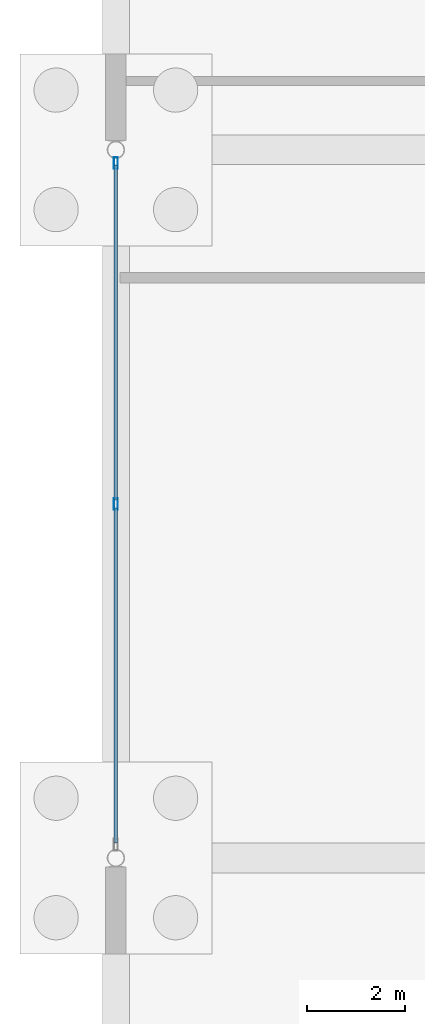
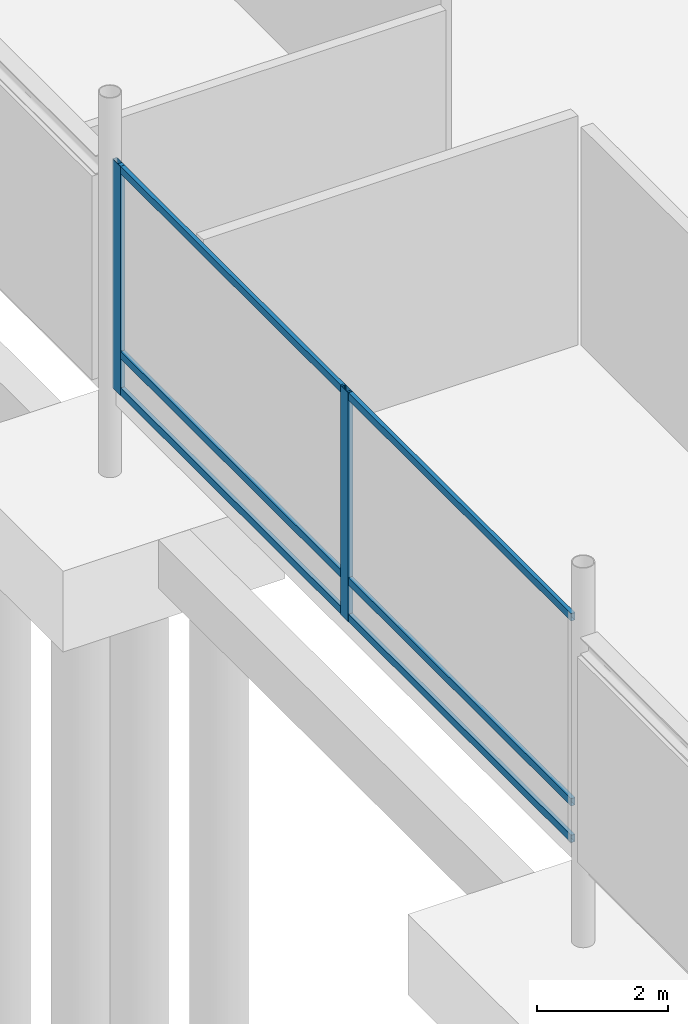
# One storey, part 62 of 192: 8 members, 1 element without a shape of its own.
"""IFC4 building model written with IfcOpenShell, lengths in metres."""

from ifc_helpers import new_model, si_unit, direction, frame, origin, origin_2d, place, context, subcontext, project, spatial, hollow_rectangle, extrude, material, material_profile, profile_set, type_object, element, aggregate, save


model = new_model("IFC4")

# Units and contexts
model_context = context("Model", 3, precision=1e-05, world=origin(), true_north=direction((0.0, 1.0)))
body_context = subcontext(model_context, "Body", "Model", "MODEL_VIEW")
ifc_project = project(units=[si_unit("LENGTHUNIT", "METRE"), si_unit("AREAUNIT", "SQUARE_METRE"), si_unit("VOLUMEUNIT", "CUBIC_METRE"), si_unit("PLANEANGLEUNIT", "RADIAN"), si_unit("MASSUNIT", "GRAM", prefix="KILO")], contexts=[model_context])

# Site, building, storey
site_placement = place(None, origin())
site = spatial("IfcSite", under=ifc_project, at=site_placement, CompositionType="ELEMENT")
building_placement = place(site_placement, origin())
building = spatial("IfcBuilding", under=site, at=building_placement, Name="Cendralis Lancet Convention Centre", CompositionType="ELEMENT")
storey_placement = place(building_placement, origin())
storey = spatial("IfcBuildingStorey", under=building, at=storey_placement, Name="L00", CompositionType="ELEMENT", Elevation=0.0)

# Curtain wall, members
ifc_material = material(Name="Anodised bronze architectural aluminium", Category="aluminium")
curtain_wall_type = type_object("IfcCurtainWallType", Name="ARC-CW-GB01", PredefinedType="USERDEFINED", material=ifc_material)
curtain_wall_placement = place(storey_placement, origin())
curtain_wall = element("IfcCurtainWall", 1, at=curtain_wall_placement, inside=storey, type_object=curtain_wall_type, Name="L00 Curtain Wall CW-GB1 #093", ObjectType="CURTAIN WALL", PredefinedType="USERDEFINED")
ifc_material_profile_1 = material_profile(ifc_material, hollow_rectangle(XDim=0.080078125, YDim=0.239990234375, WallThickness=0.0048828125, at=origin_2d()), Name="AL-MULL 80x240x5.0")
ifc_profile_set_1 = profile_set([ifc_material_profile_1], Name="Anodised bronze architectural aluminium")
member_type_1 = type_object("IfcMemberType", Name="ARC-CW-ML03", PredefinedType="MULLION", material=ifc_profile_set_1)
member_1_placement = place(storey_placement, frame((0.0, 86.39990234375, 0.0), z_axis=(0.0, 0.0, 1.0), x_axis=(1.0, 0.0, 0.0)))
member_1 = element("IfcMember", 2, at=member_1_placement, type_object=member_type_1, Name="Mullion CW2-CW-GB1-L00-093-M1", PredefinedType="MULLION", context=body_context, shape_type="SweptSolid", body=[
    extrude(hollow_rectangle(XDim=0.080078125, YDim=0.239990234375, WallThickness=0.0048828125, at=origin_2d()), origin(), (0.0, 0.0, 1.0), 4.2548828125),
])
member_2_placement = place(storey_placement, frame((0.0, 93.332275390625, 0.0), z_axis=(0.0, 0.0, 1.0), x_axis=(1.0, 0.0, 0.0)))
member_2 = element("IfcMember", 3, at=member_2_placement, type_object=member_type_1, Name="Mullion CW2-CW-GB1-L00-093-M2", PredefinedType="MULLION", context=body_context, shape_type="SweptSolid", body=[
    extrude(hollow_rectangle(XDim=0.080078125, YDim=0.239990234375, WallThickness=0.0048828125, at=origin_2d()), origin(), (0.0, 0.0, 1.0), 4.2548828125),
])
ifc_material_profile_2 = material_profile(ifc_material, hollow_rectangle(XDim=0.070068359375, YDim=0.139892578125, WallThickness=0.00390625, at=origin_2d()), Name="AL-TRAN 70x140x4.0")
ifc_profile_set_2 = profile_set([ifc_material_profile_2], Name="Anodised bronze architectural aluminium")
member_type_2 = type_object("IfcMemberType", Name="ARC-CW-TR02", PredefinedType="USERDEFINED", material=ifc_profile_set_2)
member_3_placement = place(storey_placement, frame((0.0, 79.5078125, 0.070068359375), z_axis=(0.0, 1.0, 0.0), x_axis=(-1.0, 0.0, 0.0)))
member_3 = element("IfcMember", 4, at=member_3_placement, type_object=member_type_2, Name="Transom CW2-CW-GB1-L00-093-T0BOT", ObjectType="TRANSOM", PredefinedType="USERDEFINED", context=body_context, shape_type="SweptSolid", body=[
    extrude(hollow_rectangle(XDim=0.070068359375, YDim=0.139892578125, WallThickness=0.00390625, at=origin_2d()), origin(), (0.0, 0.0, 1.0), 6.812255859375),
])
member_4_placement = place(storey_placement, frame((0.0, 79.5078125, 0.75), z_axis=(0.0, 1.0, 0.0), x_axis=(-1.0, 0.0, 0.0)))
member_4 = element("IfcMember", 5, at=member_4_placement, type_object=member_type_2, Name="Transom CW2-CW-GB1-L00-093-T0MID", ObjectType="TRANSOM", PredefinedType="USERDEFINED", context=body_context, shape_type="SweptSolid", body=[
    extrude(hollow_rectangle(XDim=0.070068359375, YDim=0.139892578125, WallThickness=0.00390625, at=origin_2d()), origin(), (0.0, 0.0, 1.0), 6.812255859375),
])
member_5_placement = place(storey_placement, frame((0.0, 79.5078125, 4.18505859375), z_axis=(0.0, 1.0, 0.0), x_axis=(-1.0, 0.0, 0.0)))
member_5 = element("IfcMember", 6, at=member_5_placement, type_object=member_type_2, Name="Transom CW2-CW-GB1-L00-093-T0TOP", ObjectType="TRANSOM", PredefinedType="USERDEFINED", context=body_context, shape_type="SweptSolid", body=[
    extrude(hollow_rectangle(XDim=0.070068359375, YDim=0.139892578125, WallThickness=0.00390625, at=origin_2d()), origin(), (0.0, 0.0, 1.0), 6.812255859375),
])
member_6_placement = place(storey_placement, frame((0.0, 86.47998046875, 0.070068359375), z_axis=(0.0, 1.0, 0.0), x_axis=(-1.0, 0.0, 0.0)))
member_6 = element("IfcMember", 7, at=member_6_placement, type_object=member_type_2, Name="Transom CW2-CW-GB1-L00-093-T1BOT", ObjectType="TRANSOM", PredefinedType="USERDEFINED", context=body_context, shape_type="SweptSolid", body=[
    extrude(hollow_rectangle(XDim=0.070068359375, YDim=0.139892578125, WallThickness=0.00390625, at=origin_2d()), origin(), (0.0, 0.0, 1.0), 6.812255859375),
])
member_7_placement = place(storey_placement, frame((0.0, 86.47998046875, 0.75), z_axis=(0.0, 1.0, 0.0), x_axis=(-1.0, 0.0, 0.0)))
member_7 = element("IfcMember", 8, at=member_7_placement, type_object=member_type_2, Name="Transom CW2-CW-GB1-L00-093-T1MID", ObjectType="TRANSOM", PredefinedType="USERDEFINED", context=body_context, shape_type="SweptSolid", body=[
    extrude(hollow_rectangle(XDim=0.070068359375, YDim=0.139892578125, WallThickness=0.00390625, at=origin_2d()), origin(), (0.0, 0.0, 1.0), 6.812255859375),
])
member_8_placement = place(storey_placement, frame((0.0, 86.47998046875, 4.18505859375), z_axis=(0.0, 1.0, 0.0), x_axis=(-1.0, 0.0, 0.0)))
member_8 = element("IfcMember", 9, at=member_8_placement, type_object=member_type_2, Name="Transom CW2-CW-GB1-L00-093-T1TOP", ObjectType="TRANSOM", PredefinedType="USERDEFINED", context=body_context, shape_type="SweptSolid", body=[
    extrude(hollow_rectangle(XDim=0.070068359375, YDim=0.139892578125, WallThickness=0.00390625, at=origin_2d()), origin(), (0.0, 0.0, 1.0), 6.812255859375),
])
aggregate(curtain_wall, [member_1, member_2, member_3, member_4, member_5, member_6, member_7, member_8])

save(model, "model.ifc")
